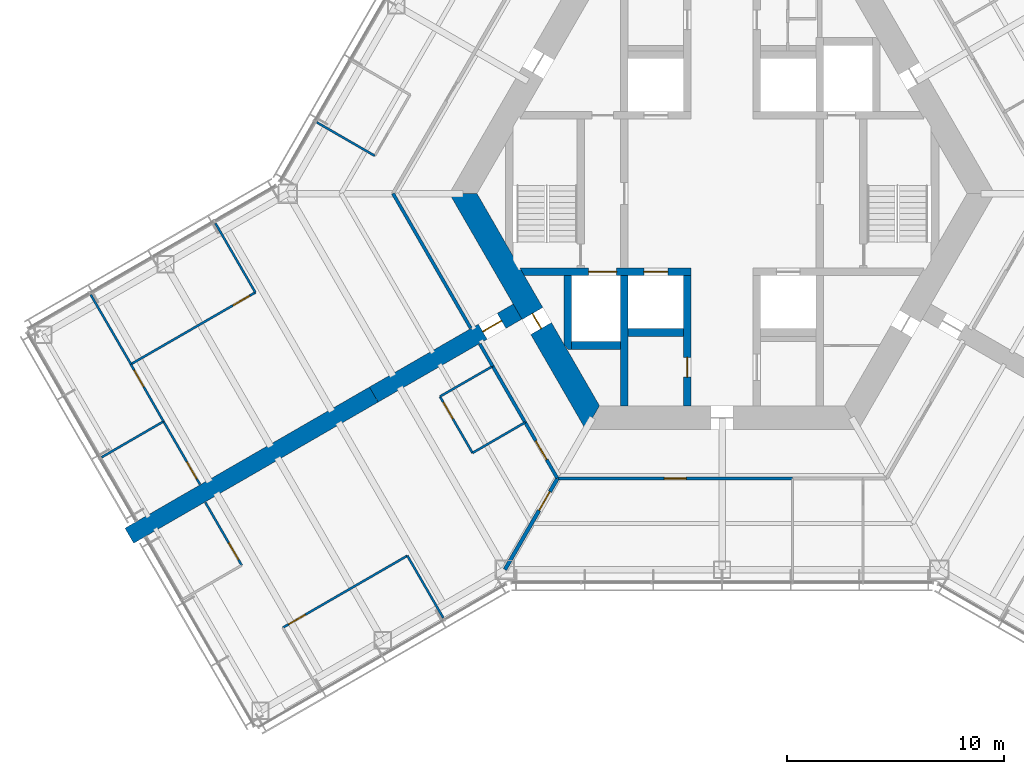
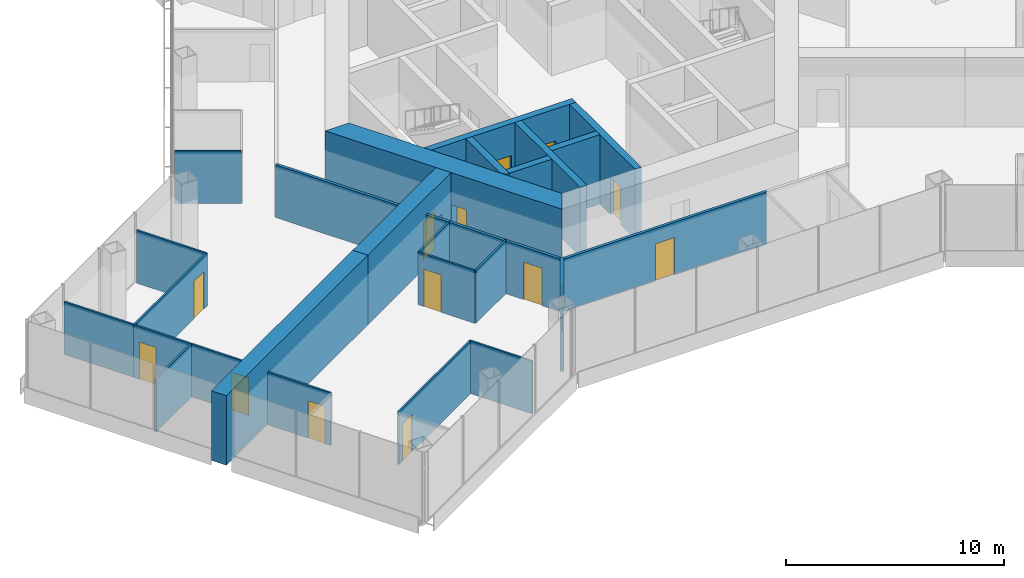
# One storey, part 12 of 18: 28 walls, 14 doors, 14 openings.
"""IFC4 building model written with IfcOpenShell, lengths in metres."""

from ifc_helpers import new_model, si_unit, direction, frame, frame_2d, origin, place, context, subcontext, project, spatial, polyline, rectangle, outline, extrude, material, layer, layer_set, type_object, element, fill, save


model = new_model("IFC4")

# Units and contexts
model_context = context("Model", 3, precision=1e-05, world=origin(), true_north=direction((0.0, 1.0)))
body_context = subcontext(model_context, "Body", "Model", "MODEL_VIEW")
ifc_project = project(units=[si_unit("LENGTHUNIT", "METRE"), si_unit("AREAUNIT", "SQUARE_METRE"), si_unit("VOLUMEUNIT", "CUBIC_METRE"), si_unit("PLANEANGLEUNIT", "RADIAN"), si_unit("MASSUNIT", "GRAM", prefix="KILO")], contexts=[model_context])

# Site, building, storey
site_placement = place(None, origin())
site = spatial("IfcSite", under=ifc_project, at=site_placement, CompositionType="ELEMENT")
building_placement = place(site_placement, origin())
building = spatial("IfcBuilding", under=site, at=building_placement, Name="Kasaneha Research Tower", CompositionType="ELEMENT")
storey_placement = place(building_placement, frame((0.0, 0.0, 108.0)))
storey = spatial("IfcBuildingStorey", under=building, at=storey_placement, Name="L27", CompositionType="ELEMENT", Elevation=108.0)

# Wall, openings, doors
ifc_material_1 = material(Name="Concrete Fc80", Category="concrete")
ifc_layer_1 = layer(ifc_material_1, 0.35009765625)
ifc_layer_set_1 = layer_set([ifc_layer_1], Name="Core internal wall 350 Fc80")
wall_type_1 = type_object("IfcWallType", Name="Core internal wall 350 Fc80", PredefinedType="SHEAR", material=ifc_layer_set_1)
wall_1_placement = place(storey_placement, frame((-9.208740234375, -3.60009765625, 0.0), z_axis=(0.0, 0.0, 1.0), x_axis=(1.0, 0.0, 0.0)))
wall_1 = element("IfcWall", 1, at=wall_1_placement, inside=storey, type_object=wall_type_1, Name="Core wall W2W L27", PredefinedType="SHEAR", context=body_context, shape_type="SweptSolid", body=[
    extrude(outline(polyline([(0.10107421875, -0.175048828125), (3.058837890625, -0.175048828125), (4.35888671875, -0.175048828125), (5.608642578125, -0.175048828125), (6.708740234375, -0.175048828125), (7.78369140625, -0.175048828125), (7.78369140625, 0.175048828125), (6.708740234375, 0.175048828125), (5.608642578125, 0.175048828125), (4.35888671875, 0.175048828125), (3.058837890625, 0.175048828125), (-0.10107421875, 0.175048828125), (0.10107421875, -0.175048828125)])), origin(), (0.0, 0.0, 1.0), 3.89990234375),
])
opening_1_placement = place(wall_1_placement, frame((5.608642578125, 0.0, 0.0)))
opening_1 = element("IfcOpeningElement", 2, at=opening_1_placement, cuts=wall_1, Name="Opening LD-LO2-L27", PredefinedType="OPENING", context=body_context, shape_type="SweptSolid", body=[
    extrude(rectangle(XDim=1.10009765625, YDim=2.10009765625, at=frame_2d((0.550048828125, 1.050048828125))), frame((0.0, 0.18505859375, 0.0), z_axis=(0.0, -1.0, 0.0), x_axis=(1.0, 0.0, 0.0)), (0.0, 0.0, 1.0), 0.3701171875),
])
opening_2_placement = place(wall_1_placement, frame((3.058837890625, 0.0, 0.0)))
opening_2 = element("IfcOpeningElement", 3, at=opening_2_placement, cuts=wall_1, Name="Opening LD-FL2-L27", PredefinedType="OPENING", context=body_context, shape_type="SweptSolid", body=[
    extrude(rectangle(XDim=1.300048828125, YDim=2.10009765625, at=frame_2d((0.64990234375, 1.050048828125))), frame((0.0, 0.18505859375, 0.0), z_axis=(0.0, -1.0, 0.0), x_axis=(1.0, 0.0, 0.0)), (0.0, 0.0, 1.0), 0.3701171875),
])
ifc_material_2 = material(Name="Steel", Category="steel")
door_type_1 = type_object("IfcDoorType", Name="Lift landing door 1100x2100", OperationType="DOUBLE_DOOR_SLIDING", PredefinedType="DOOR", material=ifc_material_2)
door_1_placement = place(opening_1_placement, origin())
door_1 = element("IfcDoor", 4, at=door_1_placement, inside=storey, type_object=door_type_1, Name="Landing door LO2 LD-LO2-L27", OperationType="DOUBLE_DOOR_SLIDING", OverallHeight=2.10009765625, OverallWidth=1.10009765625, PredefinedType="DOOR", context=body_context, shape_type="SweptSolid", body=[
    extrude(rectangle(XDim=1.10009765625, YDim=2.10009765625, at=frame_2d((0.550048828125, 1.050048828125))), frame((0.0, 0.02490234375, 0.0), z_axis=(0.0, -1.0, 0.0), x_axis=(1.0, 0.0, 0.0)), (0.0, 0.0, 1.0), 0.050048828125),
])
fill(opening_1, door_1)
ifc_material_3 = material(Name="Steel", Category="steel")
door_type_2 = type_object("IfcDoorType", Name="Lift landing door 1300x2100", OperationType="DOUBLE_DOOR_SLIDING", PredefinedType="DOOR", material=ifc_material_3)
door_2_placement = place(opening_2_placement, origin())
door_2 = element("IfcDoor", 5, at=door_2_placement, inside=storey, type_object=door_type_2, Name="Landing door FL2 LD-FL2-L27", OperationType="DOUBLE_DOOR_SLIDING", OverallHeight=2.10009765625, OverallWidth=1.300048828125, PredefinedType="DOOR", context=body_context, shape_type="SweptSolid", body=[
    extrude(rectangle(XDim=1.300048828125, YDim=2.10009765625, at=frame_2d((0.64990234375, 1.050048828125))), frame((0.0, 0.02490234375, 0.0), z_axis=(0.0, -1.0, 0.0), x_axis=(1.0, 0.0, 0.0)), (0.0, 0.0, 1.0), 0.050048828125),
])
fill(opening_2, door_2)

# Wall, opening, door
wall_2_placement = place(storey_placement, frame((-1.60009765625, -3.77490234375, 0.0), z_axis=(0.0, 0.0, 1.0), x_axis=(0.0, -1.0, 0.0)))
wall_2 = element("IfcWall", 6, at=wall_2_placement, inside=storey, type_object=wall_type_1, Name="Core wall CSW L27", PredefinedType="SHEAR", context=body_context, shape_type="SweptSolid", body=[
    extrude(rectangle(XDim=6.0, YDim=0.35009765625, at=frame_2d((3.0, 0.0))), origin(), (0.0, 0.0, 1.0), 3.89990234375),
])
opening_3_placement = place(wall_2_placement, frame((3.77490234375, 0.0, 0.0)))
opening_3 = element("IfcOpeningElement", 7, at=opening_3_placement, cuts=wall_2, Name="Opening L27-D16", PredefinedType="OPENING", context=body_context, shape_type="SweptSolid", body=[
    extrude(rectangle(XDim=0.89990234375, YDim=2.10009765625, at=frame_2d((0.449951171875, 1.050048828125))), frame((0.0, 0.18505859375, 0.0), z_axis=(0.0, -1.0, 0.0), x_axis=(1.0, 0.0, 0.0)), (0.0, 0.0, 1.0), 0.3701171875),
])
ifc_material_4 = material(Name="Steel", Category="steel")
door_type_3 = type_object("IfcDoorType", Name="Riser access door FD60 900x2100", OperationType="NOTDEFINED", PredefinedType="DOOR", material=ifc_material_4)
door_3_placement = place(opening_3_placement, origin())
door_3 = element("IfcDoor", 8, at=door_3_placement, inside=storey, type_object=door_type_3, Name="Electrical riser door L27-D16", OperationType="SINGLE_SWING_LEFT", OverallHeight=2.10009765625, OverallWidth=0.89990234375, PredefinedType="DOOR", context=body_context, shape_type="SweptSolid", body=[
    extrude(rectangle(XDim=0.89990234375, YDim=2.10009765625, at=frame_2d((0.449951171875, 1.050048828125))), frame((0.0, 0.02490234375, 0.0), z_axis=(0.0, -1.0, 0.0), x_axis=(1.0, 0.0, 0.0)), (0.0, 0.0, 1.0), 0.050048828125),
])
fill(opening_3, door_3)

# Walls
wall_3_placement = place(storey_placement, frame((-4.5, -3.77490234375, 0.0), z_axis=(0.0, 0.0, 1.0), x_axis=(0.0, -1.0, 0.0)))
element("IfcWall", 9, at=wall_3_placement, inside=storey, type_object=wall_type_1, Name="Core wall SSW L27", PredefinedType="SHEAR", context=body_context, shape_type="SweptSolid", body=[
    extrude(rectangle(XDim=6.0, YDim=0.35009765625, at=frame_2d((3.0, 0.0))), origin(), (0.0, 0.0, 1.0), 3.89990234375),
])
wall_4_placement = place(storey_placement, frame((-4.324951171875, -6.39990234375, 0.0), z_axis=(0.0, 0.0, 1.0), x_axis=(1.0, 0.0, 0.0)))
element("IfcWall", 10, at=wall_4_placement, inside=storey, type_object=wall_type_1, Name="Core wall S1S L27", PredefinedType="SHEAR", context=body_context, shape_type="SweptSolid", body=[
    extrude(rectangle(XDim=2.550048828125, YDim=0.35009765625, at=frame_2d((1.27490234375, 0.0))), origin(), (0.0, 0.0, 1.0), 3.89990234375),
])
wall_5_placement = place(storey_placement, frame((-6.925048828125, -7.0, 0.0), z_axis=(0.0, 0.0, 1.0), x_axis=(1.0, 0.0, 0.0)))
element("IfcWall", 11, at=wall_5_placement, inside=storey, type_object=wall_type_1, Name="Core wall F2S L27", PredefinedType="SHEAR", context=body_context, shape_type="SweptSolid", body=[
    extrude(rectangle(XDim=2.25, YDim=0.35009765625, at=frame_2d((1.125, 0.0))), origin(), (0.0, 0.0, 1.0), 3.89990234375),
])
wall_6_placement = place(storey_placement, frame((-7.10009765625, -3.77490234375, 0.0), z_axis=(0.0, 0.0, 1.0), x_axis=(0.0, -1.0, 0.0)))
element("IfcWall", 12, at=wall_6_placement, inside=storey, type_object=wall_type_1, Name="Core wall F2W L27", PredefinedType="SHEAR", context=body_context, shape_type="SweptSolid", body=[
    extrude(outline(polyline([(0.0, -0.175048828125), (3.174560546875, -0.175048828125), (3.400146484375, 0.0), (3.400146484375, 0.175048828125), (0.0, 0.175048828125), (0.0, -0.175048828125)])), origin(), (0.0, 0.0, 1.0), 3.89990234375),
])

# Wall, opening, door
ifc_material_5 = material(Name="Concrete Fc80", Category="concrete")
ifc_layer_2 = layer(ifc_material_5, 1.10009765625)
ifc_layer_set_2 = layer_set([ifc_layer_2], Name="Core wall 1100 Fc80")
wall_type_2 = type_object("IfcWallType", Name="Core wall 1100 Fc80", PredefinedType="SHEAR", material=ifc_layer_set_2)
wall_7_placement = place(storey_placement, frame((-11.92236328125, 0.0, 0.0), z_axis=(0.0, 0.0, 1.0), x_axis=(0.500004296715, -0.866022923061, 0.0)))
wall_7 = element("IfcWall", 13, at=wall_7_placement, inside=storey, type_object=wall_type_2, Name="Core wall 210 L27", PredefinedType="SHEAR", context=body_context, shape_type="SweptSolid", body=[
    extrude(outline(polyline([(-0.317626953125, -0.550048828125), (6.381103515625, -0.550048828125), (7.18115234375, -0.550048828125), (12.239990234375, -0.550048828125), (11.604736328125, 0.550048828125), (7.18115234375, 0.550048828125), (6.381103515625, 0.550048828125), (0.317626953125, 0.550048828125), (-0.317626953125, -0.550048828125)])), origin(), (0.0, 0.0, 1.0), 3.89990234375),
])
opening_4_placement = place(wall_7_placement, frame((6.381103515625, 0.0, 0.0)))
opening_4 = element("IfcOpeningElement", 14, at=opening_4_placement, cuts=wall_7, Name="Opening L27-D06", PredefinedType="OPENING", context=body_context, shape_type="SweptSolid", body=[
    extrude(rectangle(XDim=0.800048828125, YDim=2.10009765625, at=frame_2d((0.39990234375, 1.050048828125))), frame((0.0, 0.56005859375, 0.0), z_axis=(0.0, -1.0, 0.0), x_axis=(1.0, 0.0, 0.0)), (0.0, 0.0, 1.0), 1.1201171875),
])
ifc_material_6 = material(Name="Steel", Category="steel")
door_type_4 = type_object("IfcDoorType", Name="Riser access door FD60 800x2100", OperationType="NOTDEFINED", PredefinedType="DOOR", material=ifc_material_6)
door_4_placement = place(opening_4_placement, origin())
door_4 = element("IfcDoor", 15, at=door_4_placement, inside=storey, type_object=door_type_4, Name="Duct riser door L27-D06", OperationType="SINGLE_SWING_RIGHT", OverallHeight=2.10009765625, OverallWidth=0.800048828125, PredefinedType="DOOR", context=body_context, shape_type="SweptSolid", body=[
    extrude(rectangle(XDim=0.800048828125, YDim=2.10009765625, at=frame_2d((0.39990234375, 1.050048828125))), frame((0.0, 0.02490234375, 0.0), z_axis=(0.0, -1.0, 0.0), x_axis=(1.0, 0.0, 0.0)), (0.0, 0.0, 1.0), 0.050048828125),
])
fill(opening_4, door_4)

# Walls
ifc_material_7 = material(Name="Gypsum board on steel studs, one layer each side", Category="steel")
ifc_layer_3 = layer(ifc_material_7, 0.10009765625)
ifc_layer_set_3 = layer_set([ifc_layer_3], Name="Office partition 100")
wall_type_3 = type_object("IfcWallType", Name="Office partition 100", PredefinedType="PARTITIONING", material=ifc_layer_set_3)
wall_8_placement = place(storey_placement, frame((-27.22021484375, -7.863525390625, 0.0), z_axis=(0.0, 0.0, 1.0), x_axis=(-0.501296359072, 0.86527565572, 0.0)))
element("IfcWall", 16, at=wall_8_placement, inside=storey, type_object=wall_type_3, Name="Office partition FBN05 L27", PredefinedType="PARTITIONING", context=body_context, shape_type="SweptSolid", body=[
    extrude(rectangle(XDim=3.699951171875, YDim=0.10009765625, at=frame_2d((1.85009765625, 0.0))), origin(), (0.0, 0.0, 1.0), 2.949951171875),
])
wall_9_placement = place(storey_placement, frame((-23.332275390625, -1.36962890625, 0.0), z_axis=(0.0, 0.0, 1.0), x_axis=(0.500013413428, -0.866017659399, 0.0)))
element("IfcWall", 17, at=wall_9_placement, inside=storey, type_object=wall_type_3, Name="Office partition FBN06 L27", PredefinedType="PARTITIONING", context=body_context, shape_type="SweptSolid", body=[
    extrude(rectangle(XDim=3.68017578125, YDim=0.10009765625, at=frame_2d((1.840087890625, 0.0))), origin(), (0.0, 0.0, 1.0), 2.949951171875),
])

# Wall, opening, door
wall_10_placement = place(storey_placement, frame((-21.4921875, -4.556640625, 0.0), z_axis=(0.0, 0.0, 1.0), x_axis=(-0.866343956507, -0.499447844147, 0.0)))
wall_10 = element("IfcWall", 18, at=wall_10_placement, inside=storey, type_object=wall_type_3, Name="Office partition FBN07 L27", PredefinedType="PARTITIONING", context=body_context, shape_type="SweptSolid", body=[
    extrude(rectangle(XDim=6.61962890625, YDim=0.10009765625, at=frame_2d((3.309814453125, 0.0))), origin(), (0.0, 0.0, 1.0), 2.949951171875),
])
opening_5_placement = place(wall_10_placement, frame((0.300048828125, 0.0, 0.0)))
opening_5 = element("IfcOpeningElement", 19, at=opening_5_placement, cuts=wall_10, Name="Opening L27-D36", PredefinedType="OPENING", context=body_context, shape_type="SweptSolid", body=[
    extrude(rectangle(XDim=0.89990234375, YDim=2.10009765625, at=frame_2d((0.449951171875, 1.050048828125))), frame((0.0, 0.06005859375, 0.0), z_axis=(0.0, -1.0, 0.0), x_axis=(1.0, 0.0, 0.0)), (0.0, 0.0, 1.0), 0.1201171875),
])
ifc_material_8 = material(Name="Timber veneer", Category="wood")
door_type_5 = type_object("IfcDoorType", Name="Office door 900x2100", OperationType="SINGLE_SWING_LEFT", PredefinedType="DOOR", material=ifc_material_8)
door_5_placement = place(opening_5_placement, origin())
door_5 = element("IfcDoor", 20, at=door_5_placement, inside=storey, type_object=door_type_5, Name="Meeting room door L27-D36", OperationType="SINGLE_SWING_LEFT", OverallHeight=2.10009765625, OverallWidth=0.89990234375, PredefinedType="DOOR", context=body_context, shape_type="SweptSolid", body=[
    extrude(rectangle(XDim=0.89990234375, YDim=2.10009765625, at=frame_2d((0.449951171875, 1.050048828125))), frame((0.0, 0.02490234375, 0.0), z_axis=(0.0, -1.0, 0.0), x_axis=(1.0, 0.0, 0.0)), (0.0, 0.0, 1.0), 0.050048828125),
])
fill(opening_5, door_5)

# Wall
wall_11_placement = place(storey_placement, frame((-25.718505859375, -10.493408203125, 0.0), z_axis=(0.0, 0.0, 1.0), x_axis=(-0.865269267775, -0.501307384988, 0.0)))
element("IfcWall", 21, at=wall_11_placement, inside=storey, type_object=wall_type_3, Name="Office partition FBN08 L27", PredefinedType="PARTITIONING", context=body_context, shape_type="SweptSolid", body=[
    extrude(rectangle(XDim=3.301025390625, YDim=0.10009765625, at=frame_2d((1.650390625, 0.0))), origin(), (0.0, 0.0, 1.0), 2.949951171875),
])

# Wall, opening, door
wall_12_placement = place(storey_placement, frame((-27.2265625, -7.86279296875, 0.0), z_axis=(0.0, 0.0, 1.0), x_axis=(0.495913871635, -0.868371712989, 0.0)))
wall_12 = element("IfcWall", 22, at=wall_12_placement, inside=storey, type_object=wall_type_3, Name="Office partition FBN09 L27", PredefinedType="PARTITIONING", context=body_context, shape_type="SweptSolid", body=[
    extrude(rectangle(XDim=3.03759765625, YDim=0.10009765625, at=frame_2d((1.518798828125, 0.0))), origin(), (0.0, 0.0, 1.0), 2.949951171875),
])
opening_6_placement = place(wall_12_placement, frame((0.300048828125, 0.0, 0.0)))
opening_6 = element("IfcOpeningElement", 23, at=opening_6_placement, cuts=wall_12, Name="Opening L27-D37", PredefinedType="OPENING", context=body_context, shape_type="SweptSolid", body=[
    extrude(rectangle(XDim=0.89990234375, YDim=2.10009765625, at=frame_2d((0.449951171875, 1.050048828125))), frame((0.0, 0.06005859375, 0.0), z_axis=(0.0, -1.0, 0.0), x_axis=(1.0, 0.0, 0.0)), (0.0, 0.0, 1.0), 0.1201171875),
])
door_6_placement = place(opening_6_placement, origin())
door_6 = element("IfcDoor", 24, at=door_6_placement, inside=storey, type_object=door_type_5, Name="Manager's office door L27-D37", OperationType="SINGLE_SWING_LEFT", OverallHeight=2.10009765625, OverallWidth=0.89990234375, PredefinedType="DOOR", context=body_context, shape_type="SweptSolid", body=[
    extrude(rectangle(XDim=0.89990234375, YDim=2.10009765625, at=frame_2d((0.449951171875, 1.050048828125))), frame((0.0, 0.02490234375, 0.0), z_axis=(0.0, -1.0, 0.0), x_axis=(1.0, 0.0, 0.0)), (0.0, 0.0, 1.0), 0.050048828125),
])
fill(opening_6, door_6)

wall_13_placement = place(storey_placement, frame((-25.720458984375, -10.500244140625, 0.0), z_axis=(0.0, 0.0, 1.0), x_axis=(0.501088030279, -0.865396317251, 0.0)))
wall_13 = element("IfcWall", 25, at=wall_13_placement, inside=storey, type_object=wall_type_3, Name="Office partition FBN10 L27", PredefinedType="PARTITIONING", context=body_context, shape_type="SweptSolid", body=[
    extrude(rectangle(XDim=3.3466796875, YDim=0.10009765625, at=frame_2d((1.67333984375, 0.0))), origin(), (0.0, 0.0, 1.0), 2.949951171875),
])
opening_7_placement = place(wall_13_placement, frame((2.146728515625, 0.0, 0.0)))
opening_7 = element("IfcOpeningElement", 26, at=opening_7_placement, cuts=wall_13, Name="Opening L27-D38", PredefinedType="OPENING", context=body_context, shape_type="SweptSolid", body=[
    extrude(rectangle(XDim=0.89990234375, YDim=2.10009765625, at=frame_2d((0.449951171875, 1.050048828125))), frame((0.0, 0.06005859375, 0.0), z_axis=(0.0, -1.0, 0.0), x_axis=(1.0, 0.0, 0.0)), (0.0, 0.0, 1.0), 0.1201171875),
])
door_7_placement = place(opening_7_placement, origin())
door_7 = element("IfcDoor", 27, at=door_7_placement, inside=storey, type_object=door_type_5, Name="Interview room door L27-D38", OperationType="SINGLE_SWING_RIGHT", OverallHeight=2.10009765625, OverallWidth=0.89990234375, PredefinedType="DOOR", context=body_context, shape_type="SweptSolid", body=[
    extrude(rectangle(XDim=0.89990234375, YDim=2.10009765625, at=frame_2d((0.449951171875, 1.050048828125))), frame((0.0, 0.02490234375, 0.0), z_axis=(0.0, -1.0, 0.0), x_axis=(1.0, 0.0, 0.0)), (0.0, 0.0, 1.0), 0.050048828125),
])
fill(opening_7, door_7)

# Walls
wall_14_placement = place(storey_placement, frame((-15.99462890625, 1.7373046875, 0.0), z_axis=(0.0, 0.0, 1.0), x_axis=(-0.866029832698, 0.499992328818, 0.0)))
element("IfcWall", 28, at=wall_14_placement, inside=storey, type_object=wall_type_3, Name="Office partition FBN12 L27", PredefinedType="PARTITIONING", context=body_context, shape_type="SweptSolid", body=[
    extrude(rectangle(XDim=3.080078125, YDim=0.10009765625, at=frame_2d((1.5400390625, 0.0))), origin(), (0.0, 0.0, 1.0), 2.949951171875),
])
wall_15_placement = place(storey_placement, frame((-12.991455078125, -9.34814453125, 0.0), z_axis=(0.0, 0.0, 1.0), x_axis=(0.866817750494, 0.498625097071, 0.0)))
element("IfcWall", 29, at=wall_15_placement, inside=storey, type_object=wall_type_3, Name="Office partition FBS04 L27", PredefinedType="PARTITIONING", context=body_context, shape_type="SweptSolid", body=[
    extrude(rectangle(XDim=2.80029296875, YDim=0.10009765625, at=frame_2d((1.400146484375, 0.0))), origin(), (0.0, 0.0, 1.0), 2.949951171875),
])

# Wall, opening, door
wall_16_placement = place(storey_placement, frame((-11.491455078125, -11.9462890625, 0.0), z_axis=(0.0, 0.0, 1.0), x_axis=(-0.499990139034, 0.866031096941, 0.0)))
wall_16 = element("IfcWall", 30, at=wall_16_placement, inside=storey, type_object=wall_type_3, Name="Office partition FBS05 L27", PredefinedType="PARTITIONING", context=body_context, shape_type="SweptSolid", body=[
    extrude(rectangle(XDim=3.0, YDim=0.10009765625, at=frame_2d((1.5, 0.0))), origin(), (0.0, 0.0, 1.0), 2.949951171875),
])
opening_8_placement = place(wall_16_placement, frame((1.800048828125, 0.0, 0.0)))
opening_8 = element("IfcOpeningElement", 31, at=opening_8_placement, cuts=wall_16, Name="Opening L27-D41", PredefinedType="OPENING", context=body_context, shape_type="SweptSolid", body=[
    extrude(rectangle(XDim=0.89990234375, YDim=2.10009765625, at=frame_2d((0.449951171875, 1.050048828125))), frame((0.0, 0.06005859375, 0.0), z_axis=(0.0, -1.0, 0.0), x_axis=(1.0, 0.0, 0.0)), (0.0, 0.0, 1.0), 0.1201171875),
])
door_8_placement = place(opening_8_placement, origin())
door_8 = element("IfcDoor", 32, at=door_8_placement, inside=storey, type_object=door_type_5, Name="Pantry door L27-D41", OperationType="SINGLE_SWING_RIGHT", OverallHeight=2.10009765625, OverallWidth=0.89990234375, PredefinedType="DOOR", context=body_context, shape_type="SweptSolid", body=[
    extrude(rectangle(XDim=0.89990234375, YDim=2.10009765625, at=frame_2d((0.449951171875, 1.050048828125))), frame((0.0, 0.02490234375, 0.0), z_axis=(0.0, -1.0, 0.0), x_axis=(1.0, 0.0, 0.0)), (0.0, 0.0, 1.0), 0.050048828125),
])
fill(opening_8, door_8)

# Wall
wall_17_placement = place(storey_placement, frame((-9.06884765625, -10.542236328125, 0.0), z_axis=(0.0, 0.0, 1.0), x_axis=(-0.865195372903, -0.501434907746, 0.0)))
element("IfcWall", 33, at=wall_17_placement, inside=storey, type_object=wall_type_3, Name="Office partition FBS06 L27", PredefinedType="PARTITIONING", context=body_context, shape_type="SweptSolid", body=[
    extrude(rectangle(XDim=2.800048828125, YDim=0.10009765625, at=frame_2d((1.39990234375, 0.0))), origin(), (0.0, 0.0, 1.0), 2.949951171875),
])

# Wall, opening, door
wall_18_placement = place(storey_placement, frame((-20.22509765625, -19.99072265625, 0.0), z_axis=(0.0, 0.0, 1.0), x_axis=(0.866030817826, 0.499990622488, 0.0)))
wall_18 = element("IfcWall", 34, at=wall_18_placement, inside=storey, type_object=wall_type_3, Name="Office partition FBS07 L27", PredefinedType="PARTITIONING", context=body_context, shape_type="SweptSolid", body=[
    extrude(rectangle(XDim=6.619873046875, YDim=0.10009765625, at=frame_2d((3.31005859375, 0.0))), origin(), (0.0, 0.0, 1.0), 2.949951171875),
])
opening_9_placement = place(wall_18_placement, frame((0.300048828125, 0.0, 0.0)))
opening_9 = element("IfcOpeningElement", 35, at=opening_9_placement, cuts=wall_18, Name="Opening L27-D42", PredefinedType="OPENING", context=body_context, shape_type="SweptSolid", body=[
    extrude(rectangle(XDim=0.89990234375, YDim=2.10009765625, at=frame_2d((0.449951171875, 1.050048828125))), frame((0.0, 0.06005859375, 0.0), z_axis=(0.0, -1.0, 0.0), x_axis=(1.0, 0.0, 0.0)), (0.0, 0.0, 1.0), 0.1201171875),
])
door_9_placement = place(opening_9_placement, origin())
door_9 = element("IfcDoor", 36, at=door_9_placement, inside=storey, type_object=door_type_5, Name="Meeting room door L27-D42", OperationType="SINGLE_SWING_LEFT", OverallHeight=2.10009765625, OverallWidth=0.89990234375, PredefinedType="DOOR", context=body_context, shape_type="SweptSolid", body=[
    extrude(rectangle(XDim=0.89990234375, YDim=2.10009765625, at=frame_2d((0.449951171875, 1.050048828125))), frame((0.0, 0.02490234375, 0.0), z_axis=(0.0, -1.0, 0.0), x_axis=(1.0, 0.0, 0.0)), (0.0, 0.0, 1.0), 0.050048828125),
])
fill(opening_9, door_9)

# Wall
wall_19_placement = place(storey_placement, frame((-14.4921875, -16.680908203125, 0.0), z_axis=(0.0, 0.0, 1.0), x_axis=(0.499974350878, -0.866040211805, 0.0)))
element("IfcWall", 37, at=wall_19_placement, inside=storey, type_object=wall_type_3, Name="Office partition FBS09 L27", PredefinedType="PARTITIONING", context=body_context, shape_type="SweptSolid", body=[
    extrude(rectangle(XDim=3.300048828125, YDim=0.10009765625, at=frame_2d((1.64990234375, 0.0))), origin(), (0.0, 0.0, 1.0), 2.949951171875),
])

# Wall, opening, door
wall_20_placement = place(storey_placement, frame((-23.796630859375, -14.22412109375, 0.0), z_axis=(0.0, 0.0, 1.0), x_axis=(0.500015043844, -0.866016718043, 0.0)))
wall_20 = element("IfcWall", 38, at=wall_20_placement, inside=storey, type_object=wall_type_3, Name="Office partition FBS10 L27", PredefinedType="PARTITIONING", context=body_context, shape_type="SweptSolid", body=[
    extrude(rectangle(XDim=3.3466796875, YDim=0.10009765625, at=frame_2d((1.67333984375, 0.0))), origin(), (0.0, 0.0, 1.0), 2.949951171875),
])
opening_10_placement = place(wall_20_placement, frame((2.146728515625, 0.0, 0.0)))
opening_10 = element("IfcOpeningElement", 39, at=opening_10_placement, cuts=wall_20, Name="Opening L27-D43", PredefinedType="OPENING", context=body_context, shape_type="SweptSolid", body=[
    extrude(rectangle(XDim=0.89990234375, YDim=2.10009765625, at=frame_2d((0.449951171875, 1.050048828125))), frame((0.0, 0.06005859375, 0.0), z_axis=(0.0, -1.0, 0.0), x_axis=(1.0, 0.0, 0.0)), (0.0, 0.0, 1.0), 0.1201171875),
])
door_10_placement = place(opening_10_placement, origin())
door_10 = element("IfcDoor", 40, at=door_10_placement, inside=storey, type_object=door_type_5, Name="Workroom door L27-D43", OperationType="SINGLE_SWING_RIGHT", OverallHeight=2.10009765625, OverallWidth=0.89990234375, PredefinedType="DOOR", context=body_context, shape_type="SweptSolid", body=[
    extrude(rectangle(XDim=0.89990234375, YDim=2.10009765625, at=frame_2d((0.449951171875, 1.050048828125))), frame((0.0, 0.02490234375, 0.0), z_axis=(0.0, -1.0, 0.0), x_axis=(1.0, 0.0, 0.0)), (0.0, 0.0, 1.0), 0.050048828125),
])
fill(opening_10, door_10)

ifc_material_9 = material(Name="Concrete Fc80", Category="concrete")
ifc_layer_4 = layer(ifc_material_9, 0.800048828125)
ifc_layer_set_4 = layer_set([ifc_layer_4], Name="Spine wall 800 Fc80")
wall_type_4 = type_object("IfcWallType", Name="Spine wall 800 Fc80", PredefinedType="SHEAR", material=ifc_layer_set_4)
wall_21_placement = place(storey_placement, frame((-9.41796875, -5.4375, 0.0), z_axis=(0.0, 0.0, 1.0), x_axis=(-0.866029782078, -0.499992416496, 0.0)))
wall_21 = element("IfcWall", 41, at=wall_21_placement, inside=storey, type_object=wall_type_4, Name="Spine wall B L27", PredefinedType="SHEAR", context=body_context, shape_type="SweptSolid", body=[
    extrude(rectangle(XDim=7.6455078125, YDim=0.800048828125, at=frame_2d((3.82275390625, 0.0))), origin(), (0.0, 0.0, 1.0), 3.89990234375),
])
opening_11_placement = place(wall_21_placement, frame((0.85009765625, 0.0, 0.0)))
opening_11 = element("IfcOpeningElement", 42, at=opening_11_placement, cuts=wall_21, Name="Opening L27-D18", PredefinedType="OPENING", context=body_context, shape_type="SweptSolid", body=[
    extrude(rectangle(XDim=1.0, YDim=2.10009765625, at=frame_2d((0.5, 1.050048828125))), frame((0.0, 0.41015625, 0.0), z_axis=(0.0, -1.0, 0.0), x_axis=(1.0, 0.0, 0.0)), (0.0, 0.0, 1.0), 0.820068359375),
])
ifc_material_10 = material(Name="Steel", Category="steel")
door_type_6 = type_object("IfcDoorType", Name="Specified fire door FD60 1000x2100", OperationType="NOTDEFINED", PredefinedType="DOOR", material=ifc_material_10)
door_11_placement = place(opening_11_placement, origin())
door_11 = element("IfcDoor", 43, at=door_11_placement, inside=storey, type_object=door_type_6, Name="Spine doorway B L27-D18", OperationType="SINGLE_SWING_LEFT", OverallHeight=2.10009765625, OverallWidth=1.0, PredefinedType="DOOR", context=body_context, shape_type="SweptSolid", body=[
    extrude(rectangle(XDim=1.0, YDim=2.10009765625, at=frame_2d((0.5, 1.050048828125))), frame((0.0, 0.02490234375, 0.0), z_axis=(0.0, -1.0, 0.0), x_axis=(1.0, 0.0, 0.0)), (0.0, 0.0, 1.0), 0.050048828125),
])
fill(opening_11, door_11)

# Walls
wall_22_placement = place(storey_placement, frame((-16.039306640625, -9.26025390625, 0.0), z_axis=(0.0, 0.0, 1.0), x_axis=(-0.866024837091, -0.50000098154, 0.0)))
element("IfcWall", 44, at=wall_22_placement, inside=storey, type_object=wall_type_4, Name="Spine wall B wing L27", PredefinedType="SHEAR", context=body_context, shape_type="SweptSolid", body=[
    extrude(rectangle(XDim=13.0, YDim=0.800048828125, at=frame_2d((6.5, 0.0))), origin(), (0.0, 0.0, 1.0), 3.89990234375),
])
ifc_material_11 = material(Name="Gypsum board on steel studs, two layers each side", Category="steel")
ifc_layer_5 = layer(ifc_material_11, 0.14990234375)
ifc_layer_set_5 = layer_set([ifc_layer_5], Name="Suite partition 150")
wall_type_5 = type_object("IfcWallType", Name="Suite partition 150", PredefinedType="PARTITIONING", material=ifc_layer_set_5)
wall_23_placement = place(storey_placement, frame((-11.57666015625, -6.19873046875, 0.0), z_axis=(0.0, 0.0, 1.0), x_axis=(-0.500001961223, 0.866024271469, 0.0)))
element("IfcWall", 45, at=wall_23_placement, inside=storey, type_object=wall_type_5, Name="Suite partition FBN03 L27", PredefinedType="PARTITIONING", context=body_context, shape_type="SweptSolid", body=[
    extrude(rectangle(XDim=7.15771484375, YDim=0.14990234375, at=frame_2d((3.578857421875, 0.0))), origin(), (0.0, 0.0, 1.0), 2.949951171875),
])
wall_24_placement = place(storey_placement, frame((-9.064208984375, -10.550537109375, 0.0), z_axis=(0.0, 0.0, 1.0), x_axis=(-0.499977562641, 0.866038357612, 0.0)))
element("IfcWall", 46, at=wall_24_placement, inside=storey, type_object=wall_type_5, Name="Suite partition FBS01 L27", PredefinedType="PARTITIONING", context=body_context, shape_type="SweptSolid", body=[
    extrude(rectangle(XDim=3.010009765625, YDim=0.14990234375, at=frame_2d((1.5048828125, 0.0))), origin(), (0.0, 0.0, 1.0), 2.949951171875),
])
wall_25_placement = place(storey_placement, frame((-10.564208984375, -7.951904296875, 0.0), z_axis=(0.0, 0.0, 1.0), x_axis=(-0.500085263423, 0.865976171327, 0.0)))
element("IfcWall", 47, at=wall_25_placement, inside=storey, type_object=wall_type_5, Name="Suite partition FBS02 L27", PredefinedType="PARTITIONING", context=body_context, shape_type="SweptSolid", body=[
    extrude(rectangle(XDim=1.184326171875, YDim=0.14990234375, at=frame_2d((0.59228515625, 0.0))), origin(), (0.0, 0.0, 1.0), 2.949951171875),
])

# Wall, opening, door
wall_26_placement = place(storey_placement, frame((-7.58935546875, -13.10498046875, 0.0), z_axis=(0.0, 0.0, 1.0), x_axis=(-0.499972416139, 0.866041328748, 0.0)))
wall_26 = element("IfcWall", 48, at=wall_26_placement, inside=storey, type_object=wall_type_5, Name="Suite partition FBS03 L27", PredefinedType="PARTITIONING", context=body_context, shape_type="SweptSolid", body=[
    extrude(rectangle(XDim=2.959228515625, YDim=0.14990234375, at=frame_2d((1.4794921875, 0.0))), origin(), (0.0, 0.0, 1.0), 2.949951171875),
])
opening_12_placement = place(wall_26_placement, frame((0.9794921875, 0.0, 0.0)))
opening_12 = element("IfcOpeningElement", 49, at=opening_12_placement, cuts=wall_26, Name="Opening L27-D40", PredefinedType="OPENING", context=body_context, shape_type="SweptSolid", body=[
    extrude(rectangle(XDim=1.0, YDim=2.10009765625, at=frame_2d((0.5, 1.050048828125))), frame((0.0, 0.0849609375, 0.0), z_axis=(0.0, -1.0, 0.0), x_axis=(1.0, 0.0, 0.0)), (0.0, 0.0, 1.0), 0.169921875),
])
ifc_material_12 = material(Name="Steel", Category="steel")
door_type_7 = type_object("IfcDoorType", Name="Suite entrance door FD60 1000x2100", OperationType="NOTDEFINED", PredefinedType="DOOR", material=ifc_material_12)
door_12_placement = place(opening_12_placement, origin())
door_12 = element("IfcDoor", 50, at=door_12_placement, inside=storey, type_object=door_type_7, Name="Suite entrance door L27-D40", OperationType="SINGLE_SWING_RIGHT", OverallHeight=2.10009765625, OverallWidth=1.0, PredefinedType="DOOR", context=body_context, shape_type="SweptSolid", body=[
    extrude(rectangle(XDim=1.0, YDim=2.10009765625, at=frame_2d((0.5, 1.050048828125))), frame((0.0, 0.02490234375, 0.0), z_axis=(0.0, -1.0, 0.0), x_axis=(1.0, 0.0, 0.0)), (0.0, 0.0, 1.0), 0.050048828125),
])
fill(opening_12, door_12)

wall_27_placement = place(storey_placement, frame((3.2509765625, -13.125, 0.0), z_axis=(0.0, 0.0, 1.0), x_axis=(-1.0, 0.0, 0.0)))
wall_27 = element("IfcWall", 51, at=wall_27_placement, inside=storey, type_object=wall_type_5, Name="Suite partition FCS04 L27", PredefinedType="PARTITIONING", context=body_context, shape_type="SweptSolid", body=[
    extrude(rectangle(XDim=10.8056640625, YDim=0.14990234375, at=frame_2d((5.40283203125, 0.0))), origin(), (0.0, 0.0, 1.0), 2.949951171875),
])
opening_13_placement = place(wall_27_placement, frame((4.90283203125, 0.0, 0.0)))
opening_13 = element("IfcOpeningElement", 52, at=opening_13_placement, cuts=wall_27, Name="Opening L27-D47", PredefinedType="OPENING", context=body_context, shape_type="SweptSolid", body=[
    extrude(rectangle(XDim=1.0, YDim=2.10009765625, at=frame_2d((0.5, 1.050048828125))), frame((0.0, 0.0849609375, 0.0), z_axis=(0.0, -1.0, 0.0), x_axis=(1.0, 0.0, 0.0)), (0.0, 0.0, 1.0), 0.169921875),
])
door_13_placement = place(opening_13_placement, origin())
door_13 = element("IfcDoor", 53, at=door_13_placement, inside=storey, type_object=door_type_7, Name="Suite entrance door L27-D47", OperationType="SINGLE_SWING_RIGHT", OverallHeight=2.10009765625, OverallWidth=1.0, PredefinedType="DOOR", context=body_context, shape_type="SweptSolid", body=[
    extrude(rectangle(XDim=1.0, YDim=2.10009765625, at=frame_2d((0.5, 1.050048828125))), frame((0.0, 0.02490234375, 0.0), z_axis=(0.0, -1.0, 0.0), x_axis=(1.0, 0.0, 0.0)), (0.0, 0.0, 1.0), 0.050048828125),
])
fill(opening_13, door_13)

ifc_material_13 = material(Name="Gypsum board on steel studs, two layers each side", Category="steel")
ifc_layer_6 = layer(ifc_material_13, 0.175048828125)
ifc_layer_set_6 = layer_set([ifc_layer_6], Name="Tenancy fire partition 175")
wall_type_6 = type_object("IfcWallType", Name="Tenancy fire partition 175", PredefinedType="PARTITIONING", material=ifc_layer_set_6)
wall_28_placement = place(storey_placement, frame((-7.57763671875, -13.125, 0.0), z_axis=(0.0, 0.0, 1.0), x_axis=(-0.500008905493, -0.866020262135, 0.0)))
wall_28 = element("IfcWall", 54, at=wall_28_placement, inside=storey, type_object=wall_type_6, Name="Tenancy fire partition T240 L27", PredefinedType="PARTITIONING", context=body_context, shape_type="SweptSolid", body=[
    extrude(rectangle(XDim=4.8447265625, YDim=0.175048828125, at=frame_2d((2.42236328125, 0.0))), origin(), (0.0, 0.0, 1.0), 3.050048828125),
])
opening_14_placement = place(wall_28_placement, frame((0.699951171875, 0.0, 0.0)))
opening_14 = element("IfcOpeningElement", 55, at=opening_14_placement, cuts=wall_28, Name="Opening L27-D24", PredefinedType="OPENING", context=body_context, shape_type="SweptSolid", body=[
    extrude(rectangle(XDim=1.0, YDim=2.10009765625, at=frame_2d((0.5, 1.050048828125))), frame((0.0, 0.09765625, 0.0), z_axis=(0.0, -1.0, 0.0), x_axis=(1.0, 0.0, 0.0)), (0.0, 0.0, 1.0), 0.195068359375),
])
door_14_placement = place(opening_14_placement, origin())
door_14 = element("IfcDoor", 56, at=door_14_placement, inside=storey, type_object=door_type_7, Name="Connecting door L27-D24", OperationType="SINGLE_SWING_LEFT", OverallHeight=2.10009765625, OverallWidth=1.0, PredefinedType="DOOR", context=body_context, shape_type="SweptSolid", body=[
    extrude(rectangle(XDim=1.0, YDim=2.10009765625, at=frame_2d((0.5, 1.050048828125))), frame((0.0, 0.02490234375, 0.0), z_axis=(0.0, -1.0, 0.0), x_axis=(1.0, 0.0, 0.0)), (0.0, 0.0, 1.0), 0.050048828125),
])
fill(opening_14, door_14)

save(model, "model.ifc")
